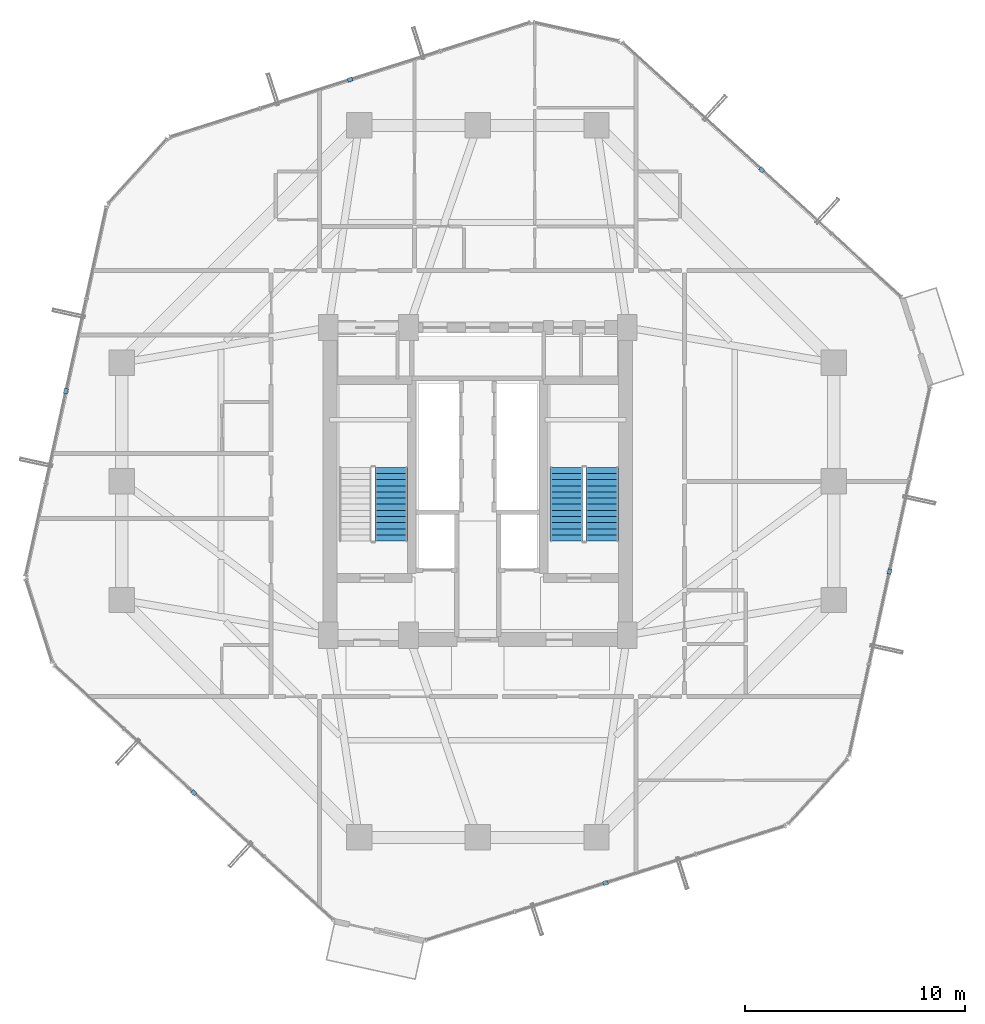
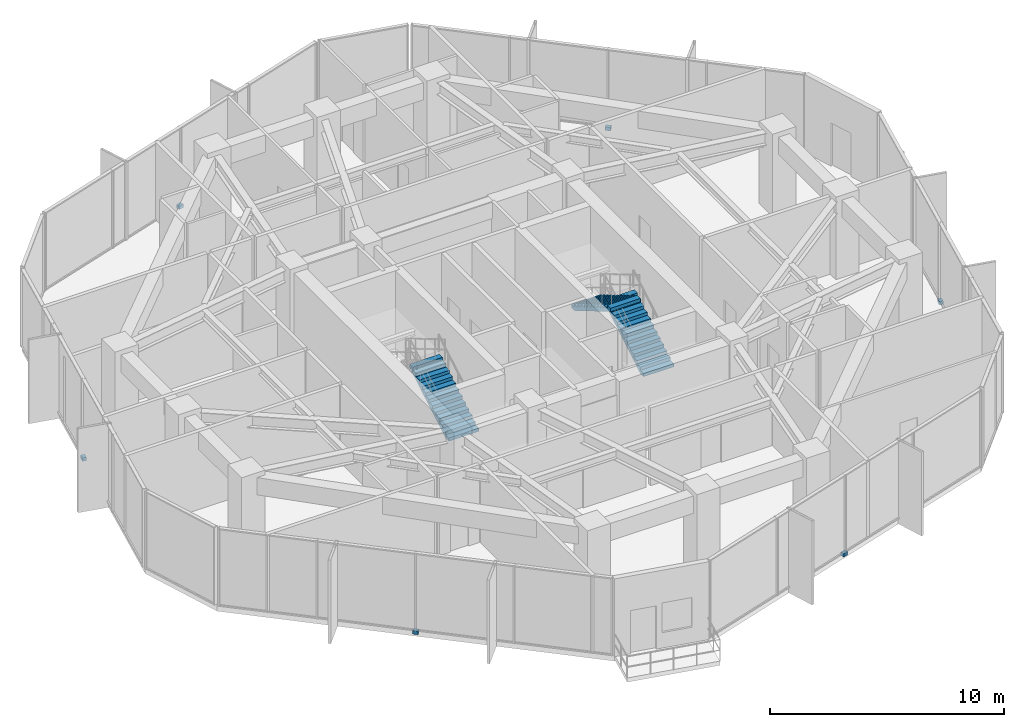
# One storey, part 26 of 28: 6 discrete accessories, 3 stair flights, 2 elements without a shape of their own.
"""IFC4 building model written with IfcOpenShell, lengths in metres."""

from ifc_helpers import new_model, si_unit, direction, frame, origin, origin_2d, place, context, subcontext, project, spatial, polyline, rectangle, outline, extrude, source, transform, mapped, material, type_object, element, aggregate, save


model = new_model("IFC4")

# Units and contexts
model_context = context("Model", 3, precision=1e-05, world=origin(), true_north=direction((0.0, 1.0)))
body_context = subcontext(model_context, "Body", "Model", "MODEL_VIEW")
ifc_project = project(units=[si_unit("LENGTHUNIT", "METRE"), si_unit("AREAUNIT", "SQUARE_METRE"), si_unit("VOLUMEUNIT", "CUBIC_METRE"), si_unit("PLANEANGLEUNIT", "RADIAN"), si_unit("MASSUNIT", "GRAM", prefix="KILO")], contexts=[model_context])

# Site, building, storey
site_placement = place(None, origin())
site = spatial("IfcSite", under=ifc_project, at=site_placement, CompositionType="ELEMENT")
building_placement = place(site_placement, origin())
building = spatial("IfcBuilding", under=site, at=building_placement, Name="Veraguas Prism Commons", CompositionType="ELEMENT")
storey_placement = place(building_placement, frame((0.0, 0.0, 85.14990234375)))
storey = spatial("IfcBuildingStorey", under=building, at=storey_placement, Name="L23", CompositionType="ELEMENT", Elevation=85.14990234375)

# Stair, stair flight
ifc_material_1 = material(Name="Precast concrete C45/55", Category="concrete")
stair_type = type_object("IfcStairType", Name="Dogleg Core Stair 1480W 26R 06", PredefinedType="HALF_TURN_STAIR", material=ifc_material_1)
stair_1_placement = place(storey_placement, origin())
stair_1 = element("IfcStair", 1, at=stair_1_placement, inside=storey, type_object=stair_type, Name="Protected Exit Stair ST-01 L23", PredefinedType="HALF_TURN_STAIR")
stair_flight_type = type_object("IfcStairFlightType", Name="Precast Stair Flight 1480W 13R 06", PredefinedType="STRAIGHT", material=ifc_material_1)
stair_flight_1_placement = place(storey_placement, frame((20.06005859375, 21.280029296875, 0.0), z_axis=(0.0, 0.0, 1.0), x_axis=(0.0, 1.0, 0.0)))
stair_flight_1 = element("IfcStairFlight", 2, at=stair_flight_1_placement, type_object=stair_flight_type, Name="ST-06 Flight 1", NumberOfRisers=13, NumberOfTreads=12, PredefinedType="STRAIGHT", RiserHeight=0.165384615, TreadLength=0.28, context=body_context, shape_type="SweptSolid", body=[
    extrude(outline(polyline([(0.0, 0.0), (0.0, 0.165283203125), (0.280029296875, 0.165283203125), (0.280029296875, 0.330810546875), (0.56005859375, 0.330810546875), (0.56005859375, 0.49609375), (0.840087890625, 0.49609375), (0.840087890625, 0.66162109375), (1.1201171875, 0.66162109375), (1.1201171875, 0.826904296875), (1.39990234375, 0.826904296875), (1.39990234375, 0.9921875), (1.679931640625, 0.9921875), (1.679931640625, 1.15771484375), (1.9599609375, 1.15771484375), (1.9599609375, 1.322998046875), (2.239990234375, 1.322998046875), (2.239990234375, 1.488525390625), (2.52001953125, 1.488525390625), (2.52001953125, 1.65380859375), (2.800048828125, 1.65380859375), (2.800048828125, 1.8193359375), (3.080078125, 1.8193359375), (3.080078125, 1.984619140625), (3.360107421875, 1.984619140625), (3.360107421875, 2.14990234375), (3.360107421875, 1.810546875), (0.294677734375, 0.0), (0.0, 0.0)])), frame((0.0, 0.739990234375, 0.0), z_axis=(0.0, -1.0, 0.0), x_axis=(1.0, 0.0, 0.0)), (0.0, 0.0, 1.0), 1.47998046875),
])
aggregate(stair_1, [stair_flight_1])

# Stair, stair flights
stair_2_placement = place(storey_placement, origin())
stair_2 = element("IfcStair", 3, at=stair_2_placement, inside=storey, type_object=stair_type, Name="Protected Exit Stair ST-02 L23", PredefinedType="HALF_TURN_STAIR")
stair_flight_2_placement = place(storey_placement, frame((29.659912109375, 21.280029296875, 0.0), z_axis=(0.0, 0.0, 1.0), x_axis=(0.0, 1.0, 0.0)))
stair_flight_2 = element("IfcStairFlight", 4, at=stair_flight_2_placement, type_object=stair_flight_type, Name="ST-06 Flight 1", NumberOfRisers=13, NumberOfTreads=12, PredefinedType="STRAIGHT", RiserHeight=0.165384615, TreadLength=0.28, context=body_context, shape_type="SweptSolid", body=[
    extrude(outline(polyline([(0.0, 0.0), (0.0, 0.165283203125), (0.280029296875, 0.165283203125), (0.280029296875, 0.330810546875), (0.56005859375, 0.330810546875), (0.56005859375, 0.49609375), (0.840087890625, 0.49609375), (0.840087890625, 0.66162109375), (1.1201171875, 0.66162109375), (1.1201171875, 0.826904296875), (1.39990234375, 0.826904296875), (1.39990234375, 0.9921875), (1.679931640625, 0.9921875), (1.679931640625, 1.15771484375), (1.9599609375, 1.15771484375), (1.9599609375, 1.322998046875), (2.239990234375, 1.322998046875), (2.239990234375, 1.488525390625), (2.52001953125, 1.488525390625), (2.52001953125, 1.65380859375), (2.800048828125, 1.65380859375), (2.800048828125, 1.8193359375), (3.080078125, 1.8193359375), (3.080078125, 1.984619140625), (3.360107421875, 1.984619140625), (3.360107421875, 2.14990234375), (3.360107421875, 1.810546875), (0.294677734375, 0.0), (0.0, 0.0)])), frame((0.0, 0.739990234375, 0.0), z_axis=(0.0, -1.0, 0.0), x_axis=(1.0, 0.0, 0.0)), (0.0, 0.0, 1.0), 1.47998046875),
])
stair_flight_3_placement = place(storey_placement, frame((28.030029296875, 24.639892578125, 2.150146484375), z_axis=(0.0, 0.0, 1.0), x_axis=(0.0, -1.0, 0.0)))
stair_flight_3 = element("IfcStairFlight", 5, at=stair_flight_3_placement, type_object=stair_flight_type, Name="ST-06 Flight 2", NumberOfRisers=13, NumberOfTreads=12, PredefinedType="STRAIGHT", RiserHeight=0.165384615, TreadLength=0.28, context=body_context, shape_type="SweptSolid", body=[
    extrude(outline(polyline([(0.0, 0.0), (0.0, 0.165283203125), (0.280029296875, 0.165283203125), (0.280029296875, 0.330810546875), (0.56005859375, 0.330810546875), (0.56005859375, 0.49609375), (0.840087890625, 0.49609375), (0.840087890625, 0.66162109375), (1.1201171875, 0.66162109375), (1.1201171875, 0.826904296875), (1.39990234375, 0.826904296875), (1.39990234375, 0.9921875), (1.679931640625, 0.9921875), (1.679931640625, 1.15771484375), (1.9599609375, 1.15771484375), (1.9599609375, 1.322998046875), (2.239990234375, 1.322998046875), (2.239990234375, 1.488525390625), (2.52001953125, 1.488525390625), (2.52001953125, 1.65380859375), (2.800048828125, 1.65380859375), (2.800048828125, 1.8193359375), (3.080078125, 1.8193359375), (3.080078125, 1.984619140625), (3.360107421875, 1.984619140625), (3.360107421875, 2.14990234375), (3.360107421875, 1.810546875), (0.294677734375, 0.0), (0.0, 0.0)])), frame((0.0, 0.739990234375, 0.0), z_axis=(0.0, -1.0, 0.0), x_axis=(1.0, 0.0, 0.0)), (0.0, 0.0, 1.0), 1.47998046875),
])
aggregate(stair_2, [stair_flight_2, stair_flight_3])

# Discrete accessories
ifc_material_2 = material(Name="Stainless steel AISI 316", Category="steel")
discrete_accessory_type = type_object("IfcDiscreteAccessoryType", Name="Facade Fin Support Bracket", PredefinedType="BRACKET", material=ifc_material_2)
shared_shape = source(origin(), body_context, "Body", "SweptSolid", [
    extrude(rectangle(XDim=0.239990234375, YDim=0.179931640625, at=origin_2d()), origin(), (0.0, 0.0, 1.0), 0.179931640625),
])
for number, where, z_axis, x_axis, name in (
    (6, (36.9248046875, 38.17431640625, -0.169921875), (0.0, 0.0, 1.0), (-0.738924736523, 0.673787973887, 0.0), "Solar Fin Support Bracket L23-F1"),
    (7, (18.18701171875, 42.280517578125, -0.169921875), (0.0, 0.0, 1.0), (-0.952978812619, -0.303036932895, 0.0), "Solar Fin Support Bracket L23-F2"),
    (8, (5.26220703125, 28.10595703125, -0.169921875), (0.0, 0.0, 1.0), (-0.214050019261, -0.976822701034, 0.0), "Solar Fin Support Bracket L23-F3"),
    (9, (11.0751953125, 9.82568359375, -0.169921875), (0.0, 0.0, 1.0), (0.738924736523, -0.673787973887, 0.0), "Solar Fin Support Bracket L23-F4"),
    (10, (29.81298828125, 5.719482421875, -0.169921875), (0.0, 0.0, 1.0), (0.952978812619, 0.303036932895, 0.0), "Solar Fin Support Bracket L23-F5"),
    (11, (42.73779296875, 19.89404296875, -0.169921875), (0.0, 0.0, 1.0), (0.214050019261, 0.976822701034, 0.0), "Solar Fin Support Bracket L23-F6"),
):
    element("IfcDiscreteAccessory", number, at=place(storey_placement, frame(where, z_axis=z_axis, x_axis=x_axis)), inside=storey, type_object=discrete_accessory_type, Name=name, PredefinedType="BRACKET", context=body_context, shape_type="MappedRepresentation", body=[
        mapped(shared_shape, transform((0.0, 0.0, 0.0), scale=1.0)),
    ])

save(model, "model.ifc")
